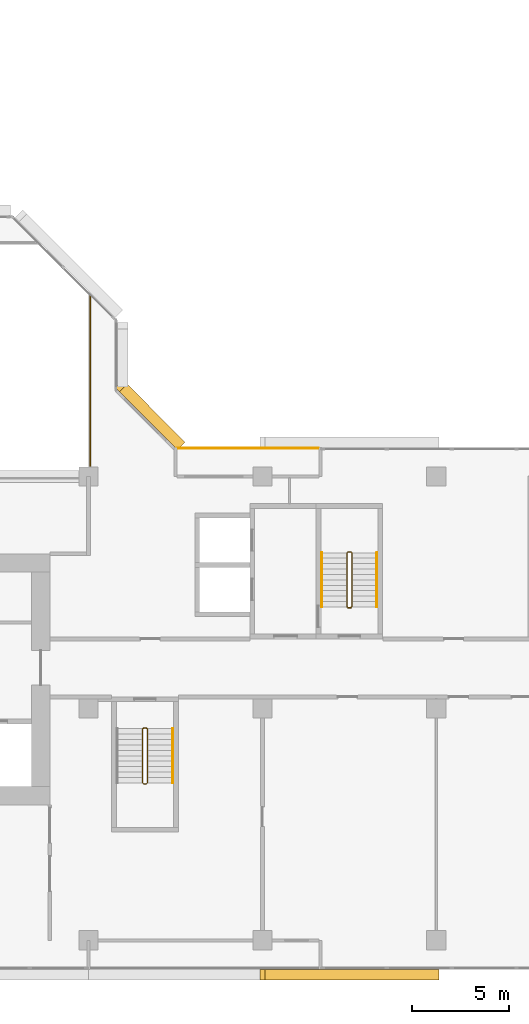
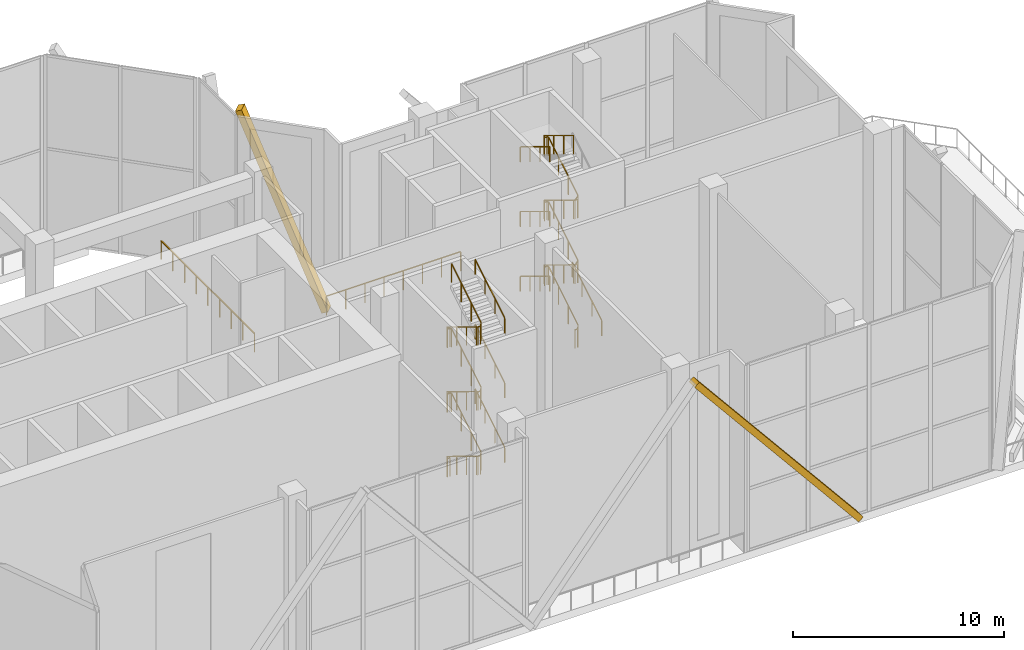
# One storey, part 19 of 21: 11 railings, 2 coverings.
"""IFC4 building model written with IfcOpenShell, lengths in metres."""

from ifc_helpers import new_model, si_unit, direction, frame, origin, origin_2d, place, context, subcontext, project, spatial, rectangle, extrude, material, material_profile, profile_set, type_object, element, save


model = new_model("IFC4")

# Units and contexts
model_context = context("Model", 3, precision=1e-05, world=origin(), true_north=direction((0.0, 1.0)))
body_context = subcontext(model_context, "Body", "Model", "MODEL_VIEW")
ifc_project = project(units=[si_unit("LENGTHUNIT", "METRE"), si_unit("AREAUNIT", "SQUARE_METRE"), si_unit("VOLUMEUNIT", "CUBIC_METRE"), si_unit("PLANEANGLEUNIT", "RADIAN"), si_unit("MASSUNIT", "GRAM", prefix="KILO")], contexts=[model_context])

# Site, building, storey
site_placement = place(None, origin())
site = spatial("IfcSite", under=ifc_project, at=site_placement, CompositionType="ELEMENT")
building_placement = place(site_placement, origin())
building = spatial("IfcBuilding", under=site, at=building_placement, Name="Chenar Terraces", CompositionType="ELEMENT")
storey_placement = place(building_placement, frame((0.0, 0.0, 146.14990234375)))
storey = spatial("IfcBuildingStorey", under=building, at=storey_placement, Name="L34", CompositionType="ELEMENT", Elevation=146.14990234375)

# Railings
ifc_material_1 = material(Name="Powder-coated steel", Category="steel")
railing_type_1 = type_object("IfcRailingType", Name="Guard 1100 steel rail with glass infill", PredefinedType="GUARDRAIL", material=ifc_material_1)
railing_1_placement = place(storey_placement, frame((36.10009765625, 24.550048828125, 0.0)))
element("IfcRailing", 1, at=railing_1_placement, inside=storey, type_object=railing_type_1, Name="Guard L34-3", PredefinedType="GUARDRAIL", context=body_context, shape_type="SweptSolid", body=[
    extrude(rectangle(XDim=0.06005859375, YDim=0.06005859375, at=origin_2d()), frame((0.0, 0.0, 1.070068359375), z_axis=(0.0, 1.0, 0.0), x_axis=(-1.0, 0.0, 0.0)), (0.0, 0.0, 1.0), 8.849853515625),
    extrude(rectangle(XDim=0.050048828125, YDim=0.050048828125, at=origin_2d()), origin(), (0.0, 0.0, 1.0), 1.0400390625),
    extrude(rectangle(XDim=0.050048828125, YDim=0.050048828125, at=origin_2d()), frame((0.0, 1.106201171875, 0.0)), (0.0, 0.0, 1.0), 1.0400390625),
    extrude(rectangle(XDim=0.050048828125, YDim=0.050048828125, at=origin_2d()), frame((0.0, 2.21240234375, 0.0)), (0.0, 0.0, 1.0), 1.0400390625),
    extrude(rectangle(XDim=0.050048828125, YDim=0.050048828125, at=origin_2d()), frame((0.0, 3.318603515625, 0.0)), (0.0, 0.0, 1.0), 1.0400390625),
    extrude(rectangle(XDim=0.050048828125, YDim=0.050048828125, at=origin_2d()), frame((0.0, 4.4248046875, 0.0)), (0.0, 0.0, 1.0), 1.0400390625),
    extrude(rectangle(XDim=0.050048828125, YDim=0.050048828125, at=origin_2d()), frame((0.0, 5.53125, 0.0)), (0.0, 0.0, 1.0), 1.0400390625),
    extrude(rectangle(XDim=0.050048828125, YDim=0.050048828125, at=origin_2d()), frame((0.0, 6.637451171875, 0.0)), (0.0, 0.0, 1.0), 1.0400390625),
    extrude(rectangle(XDim=0.050048828125, YDim=0.050048828125, at=origin_2d()), frame((0.0, 7.74365234375, 0.0)), (0.0, 0.0, 1.0), 1.0400390625),
    extrude(rectangle(XDim=0.050048828125, YDim=0.050048828125, at=origin_2d()), frame((0.0, 8.849853515625, 0.0)), (0.0, 0.0, 1.0), 1.0400390625),
])
ifc_material_2 = material(Name="Stainless steel and glass", Category="steel")
railing_type_2 = type_object("IfcRailingType", Name="Loggia guard 1150", PredefinedType="GUARDRAIL", material=ifc_material_2)
railing_2_placement = place(storey_placement, frame((47.925048828125, 25.449951171875, 0.0)))
element("IfcRailing", 2, at=railing_2_placement, inside=storey, type_object=railing_type_2, Name="Loggia guard", PredefinedType="GUARDRAIL", context=body_context, shape_type="SweptSolid", body=[
    extrude(rectangle(XDim=0.048095703125, YDim=0.048095703125, at=origin_2d()), frame((0.0, 0.0, 1.1259765625), z_axis=(-1.0, 0.0, 0.0), x_axis=(0.0, -1.0, 0.0)), (0.0, 0.0, 1.0), 7.35009765625),
    extrude(rectangle(XDim=0.0419921875, YDim=0.0419921875, at=origin_2d()), origin(), (0.0, 0.0, 1.0), 1.101806640625),
    extrude(rectangle(XDim=0.0419921875, YDim=0.0419921875, at=origin_2d()), frame((-1.050048828125, 0.0, 0.0)), (0.0, 0.0, 1.0), 1.101806640625),
    extrude(rectangle(XDim=0.0419921875, YDim=0.0419921875, at=origin_2d()), frame((-2.10009765625, 0.0, 0.0)), (0.0, 0.0, 1.0), 1.101806640625),
    extrude(rectangle(XDim=0.0419921875, YDim=0.0419921875, at=origin_2d()), frame((-3.150146484375, 0.0, 0.0)), (0.0, 0.0, 1.0), 1.101806640625),
    extrude(rectangle(XDim=0.0419921875, YDim=0.0419921875, at=origin_2d()), frame((-4.199951171875, 0.0, 0.0)), (0.0, 0.0, 1.0), 1.101806640625),
    extrude(rectangle(XDim=0.0419921875, YDim=0.0419921875, at=origin_2d()), frame((-5.25, 0.0, 0.0)), (0.0, 0.0, 1.0), 1.101806640625),
    extrude(rectangle(XDim=0.0419921875, YDim=0.0419921875, at=origin_2d()), frame((-6.300048828125, 0.0, 0.0)), (0.0, 0.0, 1.0), 1.101806640625),
    extrude(rectangle(XDim=0.0419921875, YDim=0.0419921875, at=origin_2d()), frame((-7.35009765625, 0.0, 0.0)), (0.0, 0.0, 1.0), 1.101806640625),
])
ifc_material_3 = material(Name="Powder-coated steel", Category="steel")
railing_type_3 = type_object("IfcRailingType", Name="Stair guard 1100", PredefinedType="GUARDRAIL", material=ifc_material_3)
railing_3_placement = place(storey_placement, frame((39.050048828125, 10.949951171875, 11.25)))
element("IfcRailing", 3, at=railing_3_placement, inside=storey, type_object=railing_type_3, Name="L34 ST2 stair guard 1", PredefinedType="GUARDRAIL", context=body_context, shape_type="SweptSolid", body=[
    extrude(rectangle(XDim=0.048095703125, YDim=0.048095703125, at=origin_2d()), frame((0.0, 0.0, 1.076171875), z_axis=(0.0, -0.854202870247, -0.519939858505), x_axis=(1.0, 0.0, 0.0)), (0.0, 0.0, 1.0), 3.278076171875),
    extrude(rectangle(XDim=0.048095703125, YDim=0.048095703125, at=origin_2d()), frame((0.0, -2.800048828125, -0.62841796875), z_axis=(-0.270996696079, -0.269674760976, -0.924032636873), x_axis=(0.705375805398, -0.708833529934, 0.0)), (0.0, 0.0, 1.0), 0.1845703125),
    extrude(rectangle(XDim=0.048095703125, YDim=0.048095703125, at=origin_2d()), frame((-0.050048828125, -2.849853515625, -0.798828125), z_axis=(-1.0, 0.0, 0.0), x_axis=(0.0, -1.0, 0.0)), (0.0, 0.0, 1.0), 0.14990234375),
    extrude(rectangle(XDim=0.048095703125, YDim=0.048095703125, at=origin_2d()), frame((-0.199951171875, -2.849853515625, -0.798828125), z_axis=(-0.708833529934, 0.705375805398, 0.0), x_axis=(-0.705375805398, -0.708833529934, 0.0)), (0.0, 0.0, 1.0), 0.070556640625),
    extrude(rectangle(XDim=0.048095703125, YDim=0.048095703125, at=origin_2d()), frame((-0.25, -2.800048828125, -0.798828125), z_axis=(0.0, 0.854202870247, -0.519939858505), x_axis=(-1.0, 0.0, 0.0)), (0.0, 0.0, 1.0), 3.278076171875),
    extrude(rectangle(XDim=0.048095703125, YDim=0.048095703125, at=origin_2d()), frame((-0.25, 0.0, -2.50341796875), z_axis=(0.747209590826, 0.187030483662, -0.637728332097), x_axis=(-0.242814311512, 0.970072785993, 0.0)), (0.0, 0.0, 1.0), 0.267578125),
    extrude(rectangle(XDim=0.048095703125, YDim=0.048095703125, at=origin_2d()), frame((-0.050048828125, 0.050048828125, -2.673828125), z_axis=(-1.0, 0.0, 0.0), x_axis=(0.0, -1.0, 0.0)), (0.0, 0.0, 1.0), 0.14990234375),
    extrude(rectangle(XDim=0.048095703125, YDim=0.048095703125, at=origin_2d()), frame((-0.199951171875, 0.050048828125, -2.673828125), z_axis=(0.970072785993, -0.242814311512, 0.0), x_axis=(0.242814311512, 0.970072785993, 0.0)), (0.0, 0.0, 1.0), 0.2060546875),
    extrude(rectangle(XDim=0.048095703125, YDim=0.048095703125, at=origin_2d()), frame((0.0, 0.0, -2.673828125), z_axis=(0.0, -0.854202870247, -0.519939858505), x_axis=(1.0, 0.0, 0.0)), (0.0, 0.0, 1.0), 3.278076171875),
    extrude(rectangle(XDim=0.048095703125, YDim=0.048095703125, at=origin_2d()), frame((0.0, -2.800048828125, -4.37841796875), z_axis=(-0.270996696079, -0.269674760976, -0.924032636873), x_axis=(0.705375805398, -0.708833529934, 0.0)), (0.0, 0.0, 1.0), 0.1845703125),
    extrude(rectangle(XDim=0.048095703125, YDim=0.048095703125, at=origin_2d()), frame((-0.050048828125, -2.849853515625, -4.548828125), z_axis=(-1.0, 0.0, 0.0), x_axis=(0.0, -1.0, 0.0)), (0.0, 0.0, 1.0), 0.14990234375),
    extrude(rectangle(XDim=0.048095703125, YDim=0.048095703125, at=origin_2d()), frame((-0.199951171875, -2.849853515625, -4.548828125), z_axis=(-0.708833529934, 0.705375805398, 0.0), x_axis=(-0.705375805398, -0.708833529934, 0.0)), (0.0, 0.0, 1.0), 0.070556640625),
    extrude(rectangle(XDim=0.048095703125, YDim=0.048095703125, at=origin_2d()), frame((-0.25, -2.800048828125, -4.548828125), z_axis=(0.0, 0.854202870247, -0.519939858505), x_axis=(-1.0, 0.0, 0.0)), (0.0, 0.0, 1.0), 3.278076171875),
    extrude(rectangle(XDim=0.048095703125, YDim=0.048095703125, at=origin_2d()), frame((-0.25, 0.0, -6.25341796875), z_axis=(0.747209590826, 0.187030483662, -0.637728332097), x_axis=(-0.242814311512, 0.970072785993, 0.0)), (0.0, 0.0, 1.0), 0.267578125),
    extrude(rectangle(XDim=0.048095703125, YDim=0.048095703125, at=origin_2d()), frame((-0.050048828125, 0.050048828125, -6.423828125), z_axis=(-1.0, 0.0, 0.0), x_axis=(0.0, -1.0, 0.0)), (0.0, 0.0, 1.0), 0.14990234375),
    extrude(rectangle(XDim=0.048095703125, YDim=0.048095703125, at=origin_2d()), frame((-0.199951171875, 0.050048828125, -6.423828125), z_axis=(0.970072785993, -0.242814311512, 0.0), x_axis=(0.242814311512, 0.970072785993, 0.0)), (0.0, 0.0, 1.0), 0.2060546875),
    extrude(rectangle(XDim=0.048095703125, YDim=0.048095703125, at=origin_2d()), frame((0.0, 0.0, -6.423828125), z_axis=(0.0, -0.854202870247, -0.519939858505), x_axis=(1.0, 0.0, 0.0)), (0.0, 0.0, 1.0), 3.278076171875),
    extrude(rectangle(XDim=0.048095703125, YDim=0.048095703125, at=origin_2d()), frame((0.0, -2.800048828125, -8.12841796875), z_axis=(-0.270996696079, -0.269674760976, -0.924032636873), x_axis=(0.705375805398, -0.708833529934, 0.0)), (0.0, 0.0, 1.0), 0.1845703125),
    extrude(rectangle(XDim=0.048095703125, YDim=0.048095703125, at=origin_2d()), frame((-0.050048828125, -2.849853515625, -8.298828125), z_axis=(-1.0, 0.0, 0.0), x_axis=(0.0, -1.0, 0.0)), (0.0, 0.0, 1.0), 0.14990234375),
    extrude(rectangle(XDim=0.048095703125, YDim=0.048095703125, at=origin_2d()), frame((-0.199951171875, -2.849853515625, -8.298828125), z_axis=(-0.708833529934, 0.705375805398, 0.0), x_axis=(-0.705375805398, -0.708833529934, 0.0)), (0.0, 0.0, 1.0), 0.070556640625),
    extrude(rectangle(XDim=0.048095703125, YDim=0.048095703125, at=origin_2d()), frame((-0.25, -2.800048828125, -8.298828125), z_axis=(0.0, 0.854202870247, -0.519939858505), x_axis=(-1.0, 0.0, 0.0)), (0.0, 0.0, 1.0), 3.278076171875),
    extrude(rectangle(XDim=0.048095703125, YDim=0.048095703125, at=origin_2d()), frame((-0.25, 0.0, -10.00341796875), z_axis=(0.270899902878, 0.270899902878, -0.923702595667), x_axis=(-0.707106781187, 0.707106781187, 0.0)), (0.0, 0.0, 1.0), 0.184814453125),
    extrude(rectangle(XDim=0.048095703125, YDim=0.048095703125, at=origin_2d()), frame((-0.199951171875, 0.050048828125, -10.173828125), z_axis=(1.0, 0.0, 0.0), x_axis=(0.0, 1.0, 0.0)), (0.0, 0.0, 1.0), 0.14990234375),
    extrude(rectangle(XDim=0.0419921875, YDim=0.0419921875, at=origin_2d()), origin(), (0.0, 0.0, 1.0), 1.052001953125),
    extrude(rectangle(XDim=0.0419921875, YDim=0.0419921875, at=origin_2d()), frame((0.0, -0.933349609375, -0.568115234375)), (0.0, 0.0, 1.0), 1.052001953125),
    extrude(rectangle(XDim=0.0419921875, YDim=0.0419921875, at=origin_2d()), frame((0.0, -1.86669921875, -1.13623046875)), (0.0, 0.0, 1.0), 1.052001953125),
    extrude(rectangle(XDim=0.0419921875, YDim=0.0419921875, at=origin_2d()), frame((0.0, -2.800048828125, -1.704345703125)), (0.0, 0.0, 1.0), 1.052001953125),
    extrude(rectangle(XDim=0.0419921875, YDim=0.0419921875, at=origin_2d()), frame((-0.050048828125, -2.849853515625, -1.875)), (0.0, 0.0, 1.0), 1.052001953125),
    extrude(rectangle(XDim=0.0419921875, YDim=0.0419921875, at=origin_2d()), frame((-0.199951171875, -2.849853515625, -1.875)), (0.0, 0.0, 1.0), 1.052001953125),
    extrude(rectangle(XDim=0.0419921875, YDim=0.0419921875, at=origin_2d()), frame((-0.25, -2.800048828125, -1.875)), (0.0, 0.0, 1.0), 1.052001953125),
    extrude(rectangle(XDim=0.0419921875, YDim=0.0419921875, at=origin_2d()), frame((-0.25, -1.86669921875, -2.443115234375)), (0.0, 0.0, 1.0), 1.052001953125),
    extrude(rectangle(XDim=0.0419921875, YDim=0.0419921875, at=origin_2d()), frame((-0.25, -0.933349609375, -3.01123046875)), (0.0, 0.0, 1.0), 1.052001953125),
    extrude(rectangle(XDim=0.0419921875, YDim=0.0419921875, at=origin_2d()), frame((-0.25, 0.0, -3.579345703125)), (0.0, 0.0, 1.0), 1.052001953125),
    extrude(rectangle(XDim=0.0419921875, YDim=0.0419921875, at=origin_2d()), frame((-0.050048828125, 0.050048828125, -3.75)), (0.0, 0.0, 1.0), 1.052001953125),
    extrude(rectangle(XDim=0.0419921875, YDim=0.0419921875, at=origin_2d()), frame((-0.199951171875, 0.050048828125, -3.75)), (0.0, 0.0, 1.0), 1.052001953125),
    extrude(rectangle(XDim=0.0419921875, YDim=0.0419921875, at=origin_2d()), frame((0.0, 0.0, -3.75)), (0.0, 0.0, 1.0), 1.052001953125),
    extrude(rectangle(XDim=0.0419921875, YDim=0.0419921875, at=origin_2d()), frame((0.0, -0.933349609375, -4.318115234375)), (0.0, 0.0, 1.0), 1.052001953125),
    extrude(rectangle(XDim=0.0419921875, YDim=0.0419921875, at=origin_2d()), frame((0.0, -1.86669921875, -4.88623046875)), (0.0, 0.0, 1.0), 1.052001953125),
    extrude(rectangle(XDim=0.0419921875, YDim=0.0419921875, at=origin_2d()), frame((0.0, -2.800048828125, -5.454345703125)), (0.0, 0.0, 1.0), 1.052001953125),
    extrude(rectangle(XDim=0.0419921875, YDim=0.0419921875, at=origin_2d()), frame((-0.050048828125, -2.849853515625, -5.625)), (0.0, 0.0, 1.0), 1.052001953125),
    extrude(rectangle(XDim=0.0419921875, YDim=0.0419921875, at=origin_2d()), frame((-0.199951171875, -2.849853515625, -5.625)), (0.0, 0.0, 1.0), 1.052001953125),
    extrude(rectangle(XDim=0.0419921875, YDim=0.0419921875, at=origin_2d()), frame((-0.25, -2.800048828125, -5.625)), (0.0, 0.0, 1.0), 1.052001953125),
    extrude(rectangle(XDim=0.0419921875, YDim=0.0419921875, at=origin_2d()), frame((-0.25, -1.86669921875, -6.193115234375)), (0.0, 0.0, 1.0), 1.052001953125),
    extrude(rectangle(XDim=0.0419921875, YDim=0.0419921875, at=origin_2d()), frame((-0.25, -0.933349609375, -6.76123046875)), (0.0, 0.0, 1.0), 1.052001953125),
    extrude(rectangle(XDim=0.0419921875, YDim=0.0419921875, at=origin_2d()), frame((-0.25, 0.0, -7.329345703125)), (0.0, 0.0, 1.0), 1.052001953125),
    extrude(rectangle(XDim=0.0419921875, YDim=0.0419921875, at=origin_2d()), frame((-0.050048828125, 0.050048828125, -7.5)), (0.0, 0.0, 1.0), 1.052001953125),
    extrude(rectangle(XDim=0.0419921875, YDim=0.0419921875, at=origin_2d()), frame((-0.199951171875, 0.050048828125, -7.5)), (0.0, 0.0, 1.0), 1.052001953125),
    extrude(rectangle(XDim=0.0419921875, YDim=0.0419921875, at=origin_2d()), frame((0.0, 0.0, -7.5)), (0.0, 0.0, 1.0), 1.052001953125),
    extrude(rectangle(XDim=0.0419921875, YDim=0.0419921875, at=origin_2d()), frame((0.0, -0.933349609375, -8.068115234375)), (0.0, 0.0, 1.0), 1.052001953125),
    extrude(rectangle(XDim=0.0419921875, YDim=0.0419921875, at=origin_2d()), frame((0.0, -1.86669921875, -8.63623046875)), (0.0, 0.0, 1.0), 1.052001953125),
    extrude(rectangle(XDim=0.0419921875, YDim=0.0419921875, at=origin_2d()), frame((0.0, -2.800048828125, -9.204345703125)), (0.0, 0.0, 1.0), 1.052001953125),
    extrude(rectangle(XDim=0.0419921875, YDim=0.0419921875, at=origin_2d()), frame((-0.050048828125, -2.849853515625, -9.375)), (0.0, 0.0, 1.0), 1.052001953125),
    extrude(rectangle(XDim=0.0419921875, YDim=0.0419921875, at=origin_2d()), frame((-0.199951171875, -2.849853515625, -9.375)), (0.0, 0.0, 1.0), 1.052001953125),
    extrude(rectangle(XDim=0.0419921875, YDim=0.0419921875, at=origin_2d()), frame((-0.25, -2.800048828125, -9.375)), (0.0, 0.0, 1.0), 1.052001953125),
    extrude(rectangle(XDim=0.0419921875, YDim=0.0419921875, at=origin_2d()), frame((-0.25, -1.86669921875, -9.943115234375)), (0.0, 0.0, 1.0), 1.052001953125),
    extrude(rectangle(XDim=0.0419921875, YDim=0.0419921875, at=origin_2d()), frame((-0.25, -0.933349609375, -10.51123046875)), (0.0, 0.0, 1.0), 1.052001953125),
    extrude(rectangle(XDim=0.0419921875, YDim=0.0419921875, at=origin_2d()), frame((-0.25, 0.0, -11.079345703125)), (0.0, 0.0, 1.0), 1.052001953125),
    extrude(rectangle(XDim=0.0419921875, YDim=0.0419921875, at=origin_2d()), frame((-0.199951171875, 0.050048828125, -11.25)), (0.0, 0.0, 1.0), 1.052001953125),
    extrude(rectangle(XDim=0.0419921875, YDim=0.0419921875, at=origin_2d()), frame((-0.050048828125, 0.050048828125, -11.25)), (0.0, 0.0, 1.0), 1.052001953125),
])
railing_4_placement = place(storey_placement, frame((49.375, 17.25, 11.25)))
element("IfcRailing", 4, at=railing_4_placement, inside=storey, type_object=railing_type_3, Name="L34 ST3 stair guard 1", PredefinedType="GUARDRAIL", context=body_context, shape_type="SweptSolid", body=[
    extrude(rectangle(XDim=0.048095703125, YDim=0.048095703125, at=origin_2d()), frame((0.0, 0.0, 1.076171875), z_axis=(0.0, 0.854202870247, -0.519939858505), x_axis=(-1.0, 0.0, 0.0)), (0.0, 0.0, 1.0), 3.278076171875),
    extrude(rectangle(XDim=0.048095703125, YDim=0.048095703125, at=origin_2d()), frame((0.0, 2.800048828125, -0.62841796875), z_axis=(0.270899902878, 0.270899902878, -0.923702595667), x_axis=(-0.707106781187, 0.707106781187, 0.0)), (0.0, 0.0, 1.0), 0.184814453125),
    extrude(rectangle(XDim=0.048095703125, YDim=0.048095703125, at=origin_2d()), frame((0.050048828125, 2.85009765625, -0.798828125), z_axis=(1.0, 0.0, 0.0), x_axis=(0.0, 1.0, 0.0)), (0.0, 0.0, 1.0), 0.14990234375),
    extrude(rectangle(XDim=0.048095703125, YDim=0.048095703125, at=origin_2d()), frame((0.199951171875, 2.85009765625, -0.798828125), z_axis=(0.707106781187, -0.707106781187, 0.0), x_axis=(0.707106781187, 0.707106781187, 0.0)), (0.0, 0.0, 1.0), 0.07080078125),
    extrude(rectangle(XDim=0.048095703125, YDim=0.048095703125, at=origin_2d()), frame((0.25, 2.800048828125, -0.798828125), z_axis=(0.0, -0.854202870247, -0.519939858505), x_axis=(1.0, 0.0, 0.0)), (0.0, 0.0, 1.0), 3.278076171875),
    extrude(rectangle(XDim=0.048095703125, YDim=0.048095703125, at=origin_2d()), frame((0.25, 0.0, -2.50341796875), z_axis=(-0.747209590826, -0.187030483662, -0.637728332097), x_axis=(0.242814311512, -0.970072785993, 0.0)), (0.0, 0.0, 1.0), 0.267578125),
    extrude(rectangle(XDim=0.048095703125, YDim=0.048095703125, at=origin_2d()), frame((0.050048828125, -0.050048828125, -2.673828125), z_axis=(1.0, 0.0, 0.0), x_axis=(0.0, 1.0, 0.0)), (0.0, 0.0, 1.0), 0.14990234375),
    extrude(rectangle(XDim=0.048095703125, YDim=0.048095703125, at=origin_2d()), frame((0.199951171875, -0.050048828125, -2.673828125), z_axis=(-0.970072785993, 0.242814311512, 0.0), x_axis=(-0.242814311512, -0.970072785993, 0.0)), (0.0, 0.0, 1.0), 0.2060546875),
    extrude(rectangle(XDim=0.048095703125, YDim=0.048095703125, at=origin_2d()), frame((0.0, 0.0, -2.673828125), z_axis=(0.0, 0.854202870247, -0.519939858505), x_axis=(-1.0, 0.0, 0.0)), (0.0, 0.0, 1.0), 3.278076171875),
    extrude(rectangle(XDim=0.048095703125, YDim=0.048095703125, at=origin_2d()), frame((0.0, 2.800048828125, -4.37841796875), z_axis=(0.270899902878, 0.270899902878, -0.923702595667), x_axis=(-0.707106781187, 0.707106781187, 0.0)), (0.0, 0.0, 1.0), 0.184814453125),
    extrude(rectangle(XDim=0.048095703125, YDim=0.048095703125, at=origin_2d()), frame((0.050048828125, 2.85009765625, -4.548828125), z_axis=(1.0, 0.0, 0.0), x_axis=(0.0, 1.0, 0.0)), (0.0, 0.0, 1.0), 0.14990234375),
    extrude(rectangle(XDim=0.048095703125, YDim=0.048095703125, at=origin_2d()), frame((0.199951171875, 2.85009765625, -4.548828125), z_axis=(0.707106781187, -0.707106781187, 0.0), x_axis=(0.707106781187, 0.707106781187, 0.0)), (0.0, 0.0, 1.0), 0.07080078125),
    extrude(rectangle(XDim=0.048095703125, YDim=0.048095703125, at=origin_2d()), frame((0.25, 2.800048828125, -4.548828125), z_axis=(0.0, -0.854202870247, -0.519939858505), x_axis=(1.0, 0.0, 0.0)), (0.0, 0.0, 1.0), 3.278076171875),
    extrude(rectangle(XDim=0.048095703125, YDim=0.048095703125, at=origin_2d()), frame((0.25, 0.0, -6.25341796875), z_axis=(-0.747209590826, -0.187030483662, -0.637728332097), x_axis=(0.242814311512, -0.970072785993, 0.0)), (0.0, 0.0, 1.0), 0.267578125),
    extrude(rectangle(XDim=0.048095703125, YDim=0.048095703125, at=origin_2d()), frame((0.050048828125, -0.050048828125, -6.423828125), z_axis=(1.0, 0.0, 0.0), x_axis=(0.0, 1.0, 0.0)), (0.0, 0.0, 1.0), 0.14990234375),
    extrude(rectangle(XDim=0.048095703125, YDim=0.048095703125, at=origin_2d()), frame((0.199951171875, -0.050048828125, -6.423828125), z_axis=(-0.970072785993, 0.242814311512, 0.0), x_axis=(-0.242814311512, -0.970072785993, 0.0)), (0.0, 0.0, 1.0), 0.2060546875),
    extrude(rectangle(XDim=0.048095703125, YDim=0.048095703125, at=origin_2d()), frame((0.0, 0.0, -6.423828125), z_axis=(0.0, 0.854202870247, -0.519939858505), x_axis=(-1.0, 0.0, 0.0)), (0.0, 0.0, 1.0), 3.278076171875),
    extrude(rectangle(XDim=0.048095703125, YDim=0.048095703125, at=origin_2d()), frame((0.0, 2.800048828125, -8.12841796875), z_axis=(0.270899902878, 0.270899902878, -0.923702595667), x_axis=(-0.707106781187, 0.707106781187, 0.0)), (0.0, 0.0, 1.0), 0.184814453125),
    extrude(rectangle(XDim=0.048095703125, YDim=0.048095703125, at=origin_2d()), frame((0.050048828125, 2.85009765625, -8.298828125), z_axis=(1.0, 0.0, 0.0), x_axis=(0.0, 1.0, 0.0)), (0.0, 0.0, 1.0), 0.14990234375),
    extrude(rectangle(XDim=0.048095703125, YDim=0.048095703125, at=origin_2d()), frame((0.199951171875, 2.85009765625, -8.298828125), z_axis=(0.707106781187, -0.707106781187, 0.0), x_axis=(0.707106781187, 0.707106781187, 0.0)), (0.0, 0.0, 1.0), 0.07080078125),
    extrude(rectangle(XDim=0.048095703125, YDim=0.048095703125, at=origin_2d()), frame((0.25, 2.800048828125, -8.298828125), z_axis=(0.0, -0.854202870247, -0.519939858505), x_axis=(1.0, 0.0, 0.0)), (0.0, 0.0, 1.0), 3.278076171875),
    extrude(rectangle(XDim=0.048095703125, YDim=0.048095703125, at=origin_2d()), frame((0.25, 0.0, -10.00341796875), z_axis=(-0.270899902878, -0.270899902878, -0.923702595667), x_axis=(0.707106781187, -0.707106781187, 0.0)), (0.0, 0.0, 1.0), 0.184814453125),
    extrude(rectangle(XDim=0.048095703125, YDim=0.048095703125, at=origin_2d()), frame((0.199951171875, -0.050048828125, -10.173828125), z_axis=(-1.0, 0.0, 0.0), x_axis=(0.0, -1.0, 0.0)), (0.0, 0.0, 1.0), 0.14990234375),
    extrude(rectangle(XDim=0.0419921875, YDim=0.0419921875, at=origin_2d()), origin(), (0.0, 0.0, 1.0), 1.052001953125),
    extrude(rectangle(XDim=0.0419921875, YDim=0.0419921875, at=origin_2d()), frame((0.0, 0.933349609375, -0.568115234375)), (0.0, 0.0, 1.0), 1.052001953125),
    extrude(rectangle(XDim=0.0419921875, YDim=0.0419921875, at=origin_2d()), frame((0.0, 1.86669921875, -1.13623046875)), (0.0, 0.0, 1.0), 1.052001953125),
    extrude(rectangle(XDim=0.0419921875, YDim=0.0419921875, at=origin_2d()), frame((0.0, 2.800048828125, -1.704345703125)), (0.0, 0.0, 1.0), 1.052001953125),
    extrude(rectangle(XDim=0.0419921875, YDim=0.0419921875, at=origin_2d()), frame((0.050048828125, 2.85009765625, -1.875)), (0.0, 0.0, 1.0), 1.052001953125),
    extrude(rectangle(XDim=0.0419921875, YDim=0.0419921875, at=origin_2d()), frame((0.199951171875, 2.85009765625, -1.875)), (0.0, 0.0, 1.0), 1.052001953125),
    extrude(rectangle(XDim=0.0419921875, YDim=0.0419921875, at=origin_2d()), frame((0.25, 2.800048828125, -1.875)), (0.0, 0.0, 1.0), 1.052001953125),
    extrude(rectangle(XDim=0.0419921875, YDim=0.0419921875, at=origin_2d()), frame((0.25, 1.86669921875, -2.443115234375)), (0.0, 0.0, 1.0), 1.052001953125),
    extrude(rectangle(XDim=0.0419921875, YDim=0.0419921875, at=origin_2d()), frame((0.25, 0.933349609375, -3.01123046875)), (0.0, 0.0, 1.0), 1.052001953125),
    extrude(rectangle(XDim=0.0419921875, YDim=0.0419921875, at=origin_2d()), frame((0.25, 0.0, -3.579345703125)), (0.0, 0.0, 1.0), 1.052001953125),
    extrude(rectangle(XDim=0.0419921875, YDim=0.0419921875, at=origin_2d()), frame((0.050048828125, -0.050048828125, -3.75)), (0.0, 0.0, 1.0), 1.052001953125),
    extrude(rectangle(XDim=0.0419921875, YDim=0.0419921875, at=origin_2d()), frame((0.199951171875, -0.050048828125, -3.75)), (0.0, 0.0, 1.0), 1.052001953125),
    extrude(rectangle(XDim=0.0419921875, YDim=0.0419921875, at=origin_2d()), frame((0.0, 0.0, -3.75)), (0.0, 0.0, 1.0), 1.052001953125),
    extrude(rectangle(XDim=0.0419921875, YDim=0.0419921875, at=origin_2d()), frame((0.0, 0.933349609375, -4.318115234375)), (0.0, 0.0, 1.0), 1.052001953125),
    extrude(rectangle(XDim=0.0419921875, YDim=0.0419921875, at=origin_2d()), frame((0.0, 1.86669921875, -4.88623046875)), (0.0, 0.0, 1.0), 1.052001953125),
    extrude(rectangle(XDim=0.0419921875, YDim=0.0419921875, at=origin_2d()), frame((0.0, 2.800048828125, -5.454345703125)), (0.0, 0.0, 1.0), 1.052001953125),
    extrude(rectangle(XDim=0.0419921875, YDim=0.0419921875, at=origin_2d()), frame((0.050048828125, 2.85009765625, -5.625)), (0.0, 0.0, 1.0), 1.052001953125),
    extrude(rectangle(XDim=0.0419921875, YDim=0.0419921875, at=origin_2d()), frame((0.199951171875, 2.85009765625, -5.625)), (0.0, 0.0, 1.0), 1.052001953125),
    extrude(rectangle(XDim=0.0419921875, YDim=0.0419921875, at=origin_2d()), frame((0.25, 2.800048828125, -5.625)), (0.0, 0.0, 1.0), 1.052001953125),
    extrude(rectangle(XDim=0.0419921875, YDim=0.0419921875, at=origin_2d()), frame((0.25, 1.86669921875, -6.193115234375)), (0.0, 0.0, 1.0), 1.052001953125),
    extrude(rectangle(XDim=0.0419921875, YDim=0.0419921875, at=origin_2d()), frame((0.25, 0.933349609375, -6.76123046875)), (0.0, 0.0, 1.0), 1.052001953125),
    extrude(rectangle(XDim=0.0419921875, YDim=0.0419921875, at=origin_2d()), frame((0.25, 0.0, -7.329345703125)), (0.0, 0.0, 1.0), 1.052001953125),
    extrude(rectangle(XDim=0.0419921875, YDim=0.0419921875, at=origin_2d()), frame((0.050048828125, -0.050048828125, -7.5)), (0.0, 0.0, 1.0), 1.052001953125),
    extrude(rectangle(XDim=0.0419921875, YDim=0.0419921875, at=origin_2d()), frame((0.199951171875, -0.050048828125, -7.5)), (0.0, 0.0, 1.0), 1.052001953125),
    extrude(rectangle(XDim=0.0419921875, YDim=0.0419921875, at=origin_2d()), frame((0.0, 0.0, -7.5)), (0.0, 0.0, 1.0), 1.052001953125),
    extrude(rectangle(XDim=0.0419921875, YDim=0.0419921875, at=origin_2d()), frame((0.0, 0.933349609375, -8.068115234375)), (0.0, 0.0, 1.0), 1.052001953125),
    extrude(rectangle(XDim=0.0419921875, YDim=0.0419921875, at=origin_2d()), frame((0.0, 1.86669921875, -8.63623046875)), (0.0, 0.0, 1.0), 1.052001953125),
    extrude(rectangle(XDim=0.0419921875, YDim=0.0419921875, at=origin_2d()), frame((0.0, 2.800048828125, -9.204345703125)), (0.0, 0.0, 1.0), 1.052001953125),
    extrude(rectangle(XDim=0.0419921875, YDim=0.0419921875, at=origin_2d()), frame((0.050048828125, 2.85009765625, -9.375)), (0.0, 0.0, 1.0), 1.052001953125),
    extrude(rectangle(XDim=0.0419921875, YDim=0.0419921875, at=origin_2d()), frame((0.199951171875, 2.85009765625, -9.375)), (0.0, 0.0, 1.0), 1.052001953125),
    extrude(rectangle(XDim=0.0419921875, YDim=0.0419921875, at=origin_2d()), frame((0.25, 2.800048828125, -9.375)), (0.0, 0.0, 1.0), 1.052001953125),
    extrude(rectangle(XDim=0.0419921875, YDim=0.0419921875, at=origin_2d()), frame((0.25, 1.86669921875, -9.943115234375)), (0.0, 0.0, 1.0), 1.052001953125),
    extrude(rectangle(XDim=0.0419921875, YDim=0.0419921875, at=origin_2d()), frame((0.25, 0.933349609375, -10.51123046875)), (0.0, 0.0, 1.0), 1.052001953125),
    extrude(rectangle(XDim=0.0419921875, YDim=0.0419921875, at=origin_2d()), frame((0.25, 0.0, -11.079345703125)), (0.0, 0.0, 1.0), 1.052001953125),
    extrude(rectangle(XDim=0.0419921875, YDim=0.0419921875, at=origin_2d()), frame((0.199951171875, -0.050048828125, -11.25)), (0.0, 0.0, 1.0), 1.052001953125),
    extrude(rectangle(XDim=0.0419921875, YDim=0.0419921875, at=origin_2d()), frame((0.050048828125, -0.050048828125, -11.25)), (0.0, 0.0, 1.0), 1.052001953125),
])
ifc_material_4 = material(Name="Powder-coated steel", Category="steel")
railing_type_4 = type_object("IfcRailingType", Name="Stair handrail 900", PredefinedType="HANDRAIL", material=ifc_material_4)
for number, where, name in (
    (5, (40.35009765625, 8.14990234375, 2.045654296875), "L34 ST2 stair handrail 2"),
    (6, (40.35009765625, 8.14990234375, 5.795654296875), "L34 ST2 stair handrail 4"),
    (7, (40.35009765625, 8.14990234375, 9.545654296875), "L34 ST2 stair handrail 6"),
    (8, (50.925048828125, 17.25, 0.170654296875), "L34 ST3 stair handrail 1"),
):
    element("IfcRailing", number, at=place(storey_placement, frame(where)), inside=storey, type_object=railing_type_4, Name=name, PredefinedType="HANDRAIL", context=body_context, shape_type="SweptSolid", body=[
        extrude(rectangle(XDim=0.048095703125, YDim=0.048095703125, at=origin_2d()), frame((0.0, 0.0, 0.8759765625), z_axis=(0.0, 0.854202870247, 0.519939858505), x_axis=(-1.0, 0.0, 0.0)), (0.0, 0.0, 1.0), 3.278076171875),
        extrude(rectangle(XDim=0.0419921875, YDim=0.0419921875, at=origin_2d()), origin(), (0.0, 0.0, 1.0), 0.851806640625),
        extrude(rectangle(XDim=0.0419921875, YDim=0.0419921875, at=origin_2d()), frame((0.0, 0.933349609375, 0.568115234375)), (0.0, 0.0, 1.0), 0.851806640625),
        extrude(rectangle(XDim=0.0419921875, YDim=0.0419921875, at=origin_2d()), frame((0.0, 1.86669921875, 1.13623046875)), (0.0, 0.0, 1.0), 0.851806640625),
        extrude(rectangle(XDim=0.0419921875, YDim=0.0419921875, at=origin_2d()), frame((0.0, 2.800048828125, 1.704345703125)), (0.0, 0.0, 1.0), 0.851806640625),
    ])
for number, where, name in (
    (9, (48.074951171875, 20.050048828125, 2.045654296875), "L34 ST3 stair handrail 2"),
    (10, (48.074951171875, 20.050048828125, 5.795654296875), "L34 ST3 stair handrail 4"),
    (11, (48.074951171875, 20.050048828125, 9.545654296875), "L34 ST3 stair handrail 6"),
):
    element("IfcRailing", number, at=place(storey_placement, frame(where)), inside=storey, type_object=railing_type_4, Name=name, PredefinedType="HANDRAIL", context=body_context, shape_type="SweptSolid", body=[
        extrude(rectangle(XDim=0.048095703125, YDim=0.048095703125, at=origin_2d()), frame((0.0, 0.0, 0.8759765625), z_axis=(0.0, -0.854202870247, 0.519939858505), x_axis=(1.0, 0.0, 0.0)), (0.0, 0.0, 1.0), 3.278076171875),
        extrude(rectangle(XDim=0.0419921875, YDim=0.0419921875, at=origin_2d()), origin(), (0.0, 0.0, 1.0), 0.851806640625),
        extrude(rectangle(XDim=0.0419921875, YDim=0.0419921875, at=origin_2d()), frame((0.0, -0.933349609375, 0.568115234375)), (0.0, 0.0, 1.0), 0.851806640625),
        extrude(rectangle(XDim=0.0419921875, YDim=0.0419921875, at=origin_2d()), frame((0.0, -1.86669921875, 1.13623046875)), (0.0, 0.0, 1.0), 0.851806640625),
        extrude(rectangle(XDim=0.0419921875, YDim=0.0419921875, at=origin_2d()), frame((0.0, -2.800048828125, 1.704345703125)), (0.0, 0.0, 1.0), 0.851806640625),
    ])

# Coverings
ifc_material_5 = material(Name="Terracotta", Category="masonry")
ifc_material_profile = material_profile(ifc_material_5, rectangle(XDim=0.550048828125, YDim=0.330078125, at=origin_2d()), Name="Terracotta baguette 550 x 330")
ifc_profile_set = profile_set([ifc_material_profile], Name="Terracotta")
covering_type = type_object("IfcCoveringType", Name="Terracotta baguette 550 x 330", PredefinedType="CLADDING", material=ifc_profile_set)
covering_1_placement = place(storey_placement, frame((40.6943359375, 25.6943359375, 0.150146484375), z_axis=(-0.255448778865, 0.255469569031, 0.932459768931), x_axis=(-0.70713555402, -0.707078007182, 0.0)))
element("IfcCovering", 12, at=covering_1_placement, inside=storey, type_object=covering_type, Name="Terracotta baguette", PredefinedType="CLADDING", context=body_context, shape_type="SweptSolid", body=[
    extrude(rectangle(XDim=0.550048828125, YDim=0.330078125, at=origin_2d()), origin(), (0.0, 0.0, 1.0), 11.7431640625),
])
covering_2_placement = place(storey_placement, frame((45.0, -1.77490234375, 11.10009765625), z_axis=(0.634966765532, 0.0, -0.772539453148), x_axis=(0.0, 1.0, 0.0)))
element("IfcCovering", 13, at=covering_2_placement, inside=storey, type_object=covering_type, Name="Terracotta baguette", PredefinedType="CLADDING", context=body_context, shape_type="SweptSolid", body=[
    extrude(rectangle(XDim=0.550048828125, YDim=0.330078125, at=origin_2d()), origin(), (0.0, 0.0, 1.0), 14.174072265625),
])

save(model, "model.ifc")
